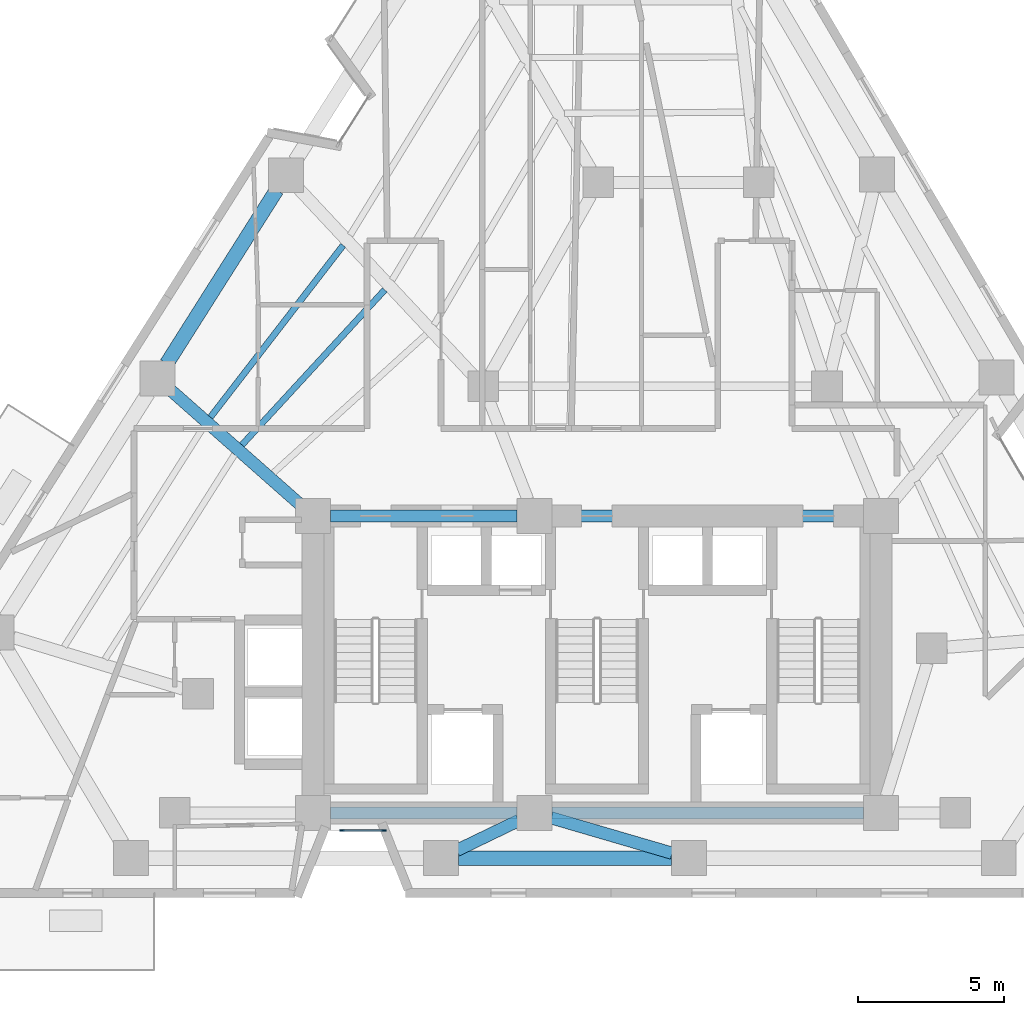
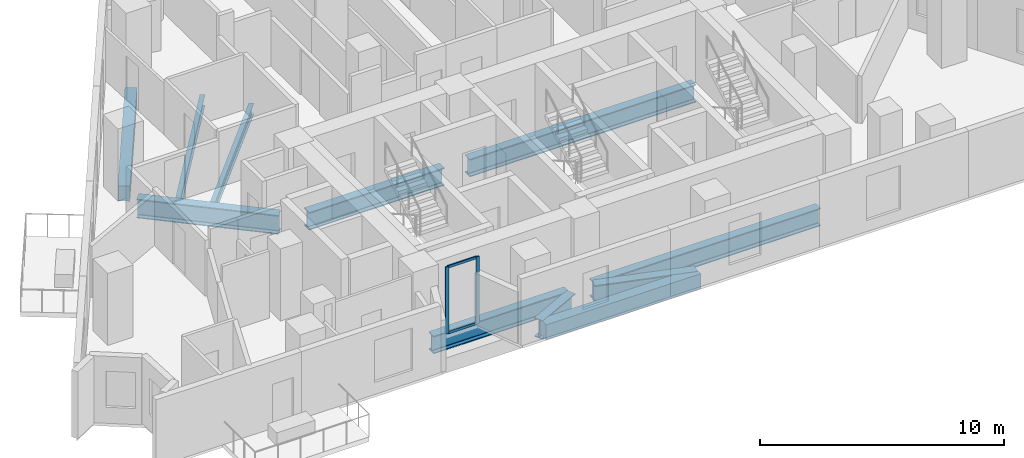
# One storey, part 2 of 12: 11 beams, 4 members, 1 element without a shape of its own.
"""IFC4 building model written with IfcOpenShell, lengths in metres."""

from ifc_helpers import new_model, si_unit, direction, frame, origin, origin_2d, place, context, subcontext, project, spatial, rectangle, i_section, extrude, material, layer, layer_set, material_profile, profile_set, type_object, element, aggregate, save


model = new_model("IFC4")

# Units and contexts
model_context = context("Model", 3, precision=1e-05, world=origin(), true_north=direction((0.0, 1.0)))
body_context = subcontext(model_context, "Body", "Model", "MODEL_VIEW")
ifc_project = project(units=[si_unit("LENGTHUNIT", "METRE"), si_unit("AREAUNIT", "SQUARE_METRE"), si_unit("VOLUMEUNIT", "CUBIC_METRE"), si_unit("PLANEANGLEUNIT", "RADIAN"), si_unit("MASSUNIT", "GRAM", prefix="KILO")], contexts=[model_context])

# Site, building, storey
site_placement = place(None, origin())
site = spatial("IfcSite", under=ifc_project, at=site_placement, CompositionType="ELEMENT")
building_placement = place(site_placement, origin())
building = spatial("IfcBuilding", under=site, at=building_placement, Name="Almagre Mirador Tower", CompositionType="ELEMENT")
storey_placement = place(building_placement, frame((0.0, 0.0, 121.199951171875)))
storey = spatial("IfcBuildingStorey", under=building, at=storey_placement, Name="L30", CompositionType="ELEMENT", Elevation=121.199951171875)

# Beams
ifc_material_1 = material(Name="Steel ASTM A992 Grade 50", Category="steel")
ifc_material_profile_1 = material_profile(ifc_material_1, i_section(OverallWidth=0.214111328125, OverallDepth=0.549072265625, WebThickness=0.0146484375, FlangeThickness=0.023681640625, FilletRadius=0.01806640625, at=origin_2d()), Name="W21X93")
ifc_profile_set_1 = profile_set([ifc_material_profile_1], Name="Steel ASTM A992 Grade 50")
beam_type_1 = type_object("IfcBeamType", Name="BM-JST-W21X93", PredefinedType="JOIST", material=ifc_profile_set_1)
beam_1_placement = place(storey_placement, frame((28.585205078125, 24.04150390625, -0.5244140625), z_axis=(-0.611154781885, -0.791511107047, 0.0), x_axis=(0.791511107047, -0.611154781885, 0.0)))
element("IfcBeam", 1, at=beam_1_placement, inside=storey, type_object=beam_type_1, Name="L30 secondary floor joist PC10-PC11.1", PredefinedType="JOIST", context=body_context, shape_type="SweptSolid", body=[
    extrude(i_section(OverallWidth=0.214111328125, OverallDepth=0.549072265625, WebThickness=0.0146484375, FlangeThickness=0.023681640625, FilletRadius=0.01806640625, at=origin_2d()), origin(), (0.0, 0.0, 1.0), 7.45458984375),
])
beam_2_placement = place(storey_placement, frame((30.013671875, 22.511474609375, -0.5244140625), z_axis=(-0.677434935898, -0.735582699378, 0.0), x_axis=(0.735582699378, -0.677434935898, 0.0)))
element("IfcBeam", 2, at=beam_2_placement, inside=storey, type_object=beam_type_1, Name="L30 secondary floor joist PC10-PC11.2", PredefinedType="JOIST", context=body_context, shape_type="SweptSolid", body=[
    extrude(i_section(OverallWidth=0.214111328125, OverallDepth=0.549072265625, WebThickness=0.0146484375, FlangeThickness=0.023681640625, FilletRadius=0.01806640625, at=origin_2d()), origin(), (0.0, 0.0, 1.0), 7.238525390625),
])
ifc_material_2 = material(Name="Precast concrete C50/60", Category="concrete")
ifc_material_profile_2 = material_profile(ifc_material_2, rectangle(XDim=0.5, YDim=0.75, at=origin_2d()), Name="RC500X750")
ifc_profile_set_2 = profile_set([ifc_material_profile_2], Name="Precast concrete C50/60")
beam_type_2 = type_object("IfcBeamType", Name="BM-SPN-RC500X750", PredefinedType="SPANDREL", material=ifc_profile_set_2)
beam_3_placement = place(storey_placement, frame((32.5439453125, 3.0, -0.625), z_axis=(1.0, 0.0, 0.0), x_axis=(0.0, 1.0, 0.0)))
element("IfcBeam", 3, at=beam_3_placement, inside=storey, type_object=beam_type_2, Name="L30 perimeter spandrel beam PC02-PC03", PredefinedType="SPANDREL", context=body_context, shape_type="SweptSolid", body=[
    extrude(rectangle(XDim=0.5, YDim=0.75, at=origin_2d()), origin(), (0.0, 0.0, 1.0), 7.31201171875),
])
beam_4_placement = place(storey_placement, frame((26.301025390625, 25.93896484375, -0.625), z_axis=(-0.534879207885, -0.844928537198, 0.0), x_axis=(0.844928537198, -0.534879207885, 0.0)))
element("IfcBeam", 4, at=beam_4_placement, inside=storey, type_object=beam_type_2, Name="L30 perimeter spandrel beam PC10-PC11", PredefinedType="SPANDREL", context=body_context, shape_type="SweptSolid", body=[
    extrude(rectangle(XDim=0.5, YDim=0.75, at=origin_2d()), origin(), (0.0, 0.0, 1.0), 7.05615234375),
])
ifc_material_3 = material(Name="Steel ASTM A992 Grade 50", Category="steel")
ifc_material_profile_3 = material_profile(ifc_material_3, i_section(OverallWidth=0.404052734375, OverallDepth=0.884033203125, WebThickness=0.0244140625, FlangeThickness=0.0439453125, FilletRadius=0.02490234375, at=origin_2d()), Name="W33X291")
ifc_profile_set_3 = profile_set([ifc_material_profile_3], Name="Steel ASTM A992 Grade 50")
beam_type_3 = type_object("IfcBeamType", Name="BM-STL-W33X291", PredefinedType="BEAM", material=ifc_profile_set_3)
beam_5_placement = place(storey_placement, frame((28.14990234375, 4.550048828125, -0.69189453125), z_axis=(1.0, 0.0, 0.0), x_axis=(0.0, 1.0, 0.0)))
element("IfcBeam", 5, at=beam_5_placement, inside=storey, type_object=beam_type_3, Name="L30 core tie girder CC1-CC2", PredefinedType="BEAM", context=body_context, shape_type="SweptSolid", body=[
    extrude(i_section(OverallWidth=0.404052734375, OverallDepth=0.884033203125, WebThickness=0.0244140625, FlangeThickness=0.0439453125, FilletRadius=0.02490234375, at=origin_2d()), origin(), (0.0, 0.0, 1.0), 6.400146484375),
])
beam_6_placement = place(storey_placement, frame((35.75, 4.550048828125, -0.69189453125), z_axis=(1.0, 0.0, 0.0), x_axis=(0.0, 1.0, 0.0)))
element("IfcBeam", 6, at=beam_6_placement, inside=storey, type_object=beam_type_3, Name="L30 core tie girder CC2-CC3", PredefinedType="BEAM", context=body_context, shape_type="SweptSolid", body=[
    extrude(i_section(OverallWidth=0.404052734375, OverallDepth=0.884033203125, WebThickness=0.0244140625, FlangeThickness=0.0439453125, FilletRadius=0.02490234375, at=origin_2d()), origin(), (0.0, 0.0, 1.0), 10.699951171875),
])
beam_7_placement = place(storey_placement, frame((28.14990234375, 14.75, -0.69189453125), z_axis=(1.0, 0.0, 0.0), x_axis=(0.0, 1.0, 0.0)))
element("IfcBeam", 7, at=beam_7_placement, inside=storey, type_object=beam_type_3, Name="L30 core tie girder CC4-CC5", PredefinedType="BEAM", context=body_context, shape_type="SweptSolid", body=[
    extrude(i_section(OverallWidth=0.404052734375, OverallDepth=0.884033203125, WebThickness=0.0244140625, FlangeThickness=0.0439453125, FilletRadius=0.02490234375, at=origin_2d()), origin(), (0.0, 0.0, 1.0), 6.400146484375),
])
beam_8_placement = place(storey_placement, frame((35.75, 14.75, -0.69189453125), z_axis=(1.0, 0.0, 0.0), x_axis=(0.0, 1.0, 0.0)))
element("IfcBeam", 8, at=beam_8_placement, inside=storey, type_object=beam_type_3, Name="L30 core tie girder CC5-CC6", PredefinedType="BEAM", context=body_context, shape_type="SweptSolid", body=[
    extrude(i_section(OverallWidth=0.404052734375, OverallDepth=0.884033203125, WebThickness=0.0244140625, FlangeThickness=0.0439453125, FilletRadius=0.02490234375, at=origin_2d()), origin(), (0.0, 0.0, 1.0), 10.699951171875),
])
ifc_material_4 = material(Name="Steel ASTM A992 Grade 50", Category="steel")
ifc_material_profile_4 = material_profile(ifc_material_4, i_section(OverallWidth=0.423095703125, OverallDepth=0.947998046875, WebThickness=0.02392578125, FlangeThickness=0.042724609375, FilletRadius=0.028076171875, at=origin_2d()), Name="W36X302")
ifc_profile_set_4 = profile_set([ifc_material_profile_4], Name="Steel ASTM A992 Grade 50")
beam_type_4 = type_object("IfcBeamType", Name="BM-STL-W36X302", PredefinedType="BEAM", material=ifc_profile_set_4)
beam_9_placement = place(storey_placement, frame((32.484130859375, 3.26123046875, -0.723876953125), z_axis=(0.900323968092, 0.435220349339, 0.0), x_axis=(-0.435220349339, 0.900323968092, 0.0)))
element("IfcBeam", 9, at=beam_9_placement, inside=storey, type_object=beam_type_4, Name="L30 radial floor girder PC02-CC2", PredefinedType="BEAM", context=body_context, shape_type="SweptSolid", body=[
    extrude(i_section(OverallWidth=0.423095703125, OverallDepth=0.947998046875, WebThickness=0.02392578125, FlangeThickness=0.042724609375, FilletRadius=0.028076171875, at=origin_2d()), origin(), (0.0, 0.0, 1.0), 2.361083984375),
])
beam_10_placement = place(storey_placement, frame((39.880126953125, 3.168212890625, -0.723876953125), z_axis=(-0.959878605081, 0.280415875991, 0.0), x_axis=(-0.280415875991, -0.959878605081, 0.0)))
element("IfcBeam", 10, at=beam_10_placement, inside=storey, type_object=beam_type_4, Name="L30 radial floor girder PC03-CC2", PredefinedType="BEAM", context=body_context, shape_type="SweptSolid", body=[
    extrude(i_section(OverallWidth=0.423095703125, OverallDepth=0.947998046875, WebThickness=0.02392578125, FlangeThickness=0.042724609375, FilletRadius=0.028076171875, at=origin_2d()), origin(), (0.0, 0.0, 1.0), 4.327880859375),
])
beam_11_placement = place(storey_placement, frame((22.65576171875, 19.07275390625, -0.723876953125), z_axis=(0.749515768673, -0.661986489673, 0.0), x_axis=(0.661986489673, 0.749515768673, 0.0)))
element("IfcBeam", 11, at=beam_11_placement, inside=storey, type_object=beam_type_4, Name="L30 radial floor girder PC11-CC4", PredefinedType="BEAM", context=body_context, shape_type="SweptSolid", body=[
    extrude(i_section(OverallWidth=0.423095703125, OverallDepth=0.947998046875, WebThickness=0.02392578125, FlangeThickness=0.042724609375, FilletRadius=0.028076171875, at=origin_2d()), origin(), (0.0, 0.0, 1.0), 5.929931640625),
])

# Curtain wall, members
ifc_material_5 = material(Name="Black anodized aluminium", Category="aluminium")
ifc_layer = layer(ifc_material_5, 0.169921875)
ifc_layer_set = layer_set([ifc_layer], Name="Black anodized aluminium")
curtain_wall_type = type_object("IfcCurtainWallType", Name="CW-CRS-SYS", PredefinedType="NOTDEFINED", material=ifc_layer_set)
curtain_wall_placement = place(storey_placement, origin())
curtain_wall = element("IfcCurtainWall", 12, at=curtain_wall_placement, inside=storey, type_object=curtain_wall_type, Name="L30 vertical crease curtain wall 04", PredefinedType="NOTDEFINED")
ifc_material_6 = material(Name="Black anodized aluminium", Category="aluminium")
ifc_material_profile_5 = material_profile(ifc_material_6, rectangle(XDim=0.06005859375, YDim=0.14990234375, at=origin_2d()), Name="CWM60X150")
ifc_profile_set_5 = profile_set([ifc_material_profile_5], Name="Black anodized aluminium")
member_type_1 = type_object("IfcMemberType", Name="MBR-CWM60X150", PredefinedType="MULLION", material=ifc_profile_set_5)
member_1_placement = place(storey_placement, frame((29.98291015625, 3.949951171875, 0.0), z_axis=(0.0, 0.0, 1.0), x_axis=(0.0, -1.0, 0.0)))
member_1 = element("IfcMember", 13, at=member_1_placement, type_object=member_type_1, Name="CW-4 mullion 1", PredefinedType="MULLION", context=body_context, shape_type="SweptSolid", body=[
    extrude(rectangle(XDim=0.06005859375, YDim=0.14990234375, at=origin_2d()), origin(), (0.0, 0.0, 1.0), 3.35009765625),
])
member_2_placement = place(storey_placement, frame((28.5400390625, 3.949951171875, 0.0), z_axis=(0.0, 0.0, 1.0), x_axis=(0.0, -1.0, 0.0)))
member_2 = element("IfcMember", 14, at=member_2_placement, type_object=member_type_1, Name="CW-4 mullion 2", PredefinedType="MULLION", context=body_context, shape_type="SweptSolid", body=[
    extrude(rectangle(XDim=0.06005859375, YDim=0.14990234375, at=origin_2d()), origin(), (0.0, 0.0, 1.0), 3.35009765625),
])
ifc_material_7 = material(Name="Black anodized aluminium", Category="aluminium")
ifc_material_profile_6 = material_profile(ifc_material_7, rectangle(XDim=0.06005859375, YDim=0.1298828125, at=origin_2d()), Name="CWT60X130")
ifc_profile_set_6 = profile_set([ifc_material_profile_6], Name="Black anodized aluminium")
member_type_2 = type_object("IfcMemberType", Name="MBR-CWT60X130", PredefinedType="USERDEFINED", material=ifc_profile_set_6)
member_3_placement = place(storey_placement, frame((29.952880859375, 3.949951171875, 0.030029296875), z_axis=(-1.0, 0.0, 0.0), x_axis=(0.0, -1.0, 0.0)))
member_3 = element("IfcMember", 15, at=member_3_placement, type_object=member_type_2, Name="CW-4 transom 1.1", ObjectType="TRANSOM", PredefinedType="USERDEFINED", context=body_context, shape_type="SweptSolid", body=[
    extrude(rectangle(XDim=0.06005859375, YDim=0.1298828125, at=origin_2d()), origin(), (0.0, 0.0, 1.0), 1.3828125),
])
member_4_placement = place(storey_placement, frame((29.952880859375, 3.949951171875, 3.320068359375), z_axis=(-1.0, 0.0, 0.0), x_axis=(0.0, -1.0, 0.0)))
member_4 = element("IfcMember", 16, at=member_4_placement, type_object=member_type_2, Name="CW-4 transom 1.2", ObjectType="TRANSOM", PredefinedType="USERDEFINED", context=body_context, shape_type="SweptSolid", body=[
    extrude(rectangle(XDim=0.06005859375, YDim=0.1298828125, at=origin_2d()), origin(), (0.0, 0.0, 1.0), 1.3828125),
])
aggregate(curtain_wall, [member_1, member_2, member_3, member_4])

save(model, "model.ifc")
